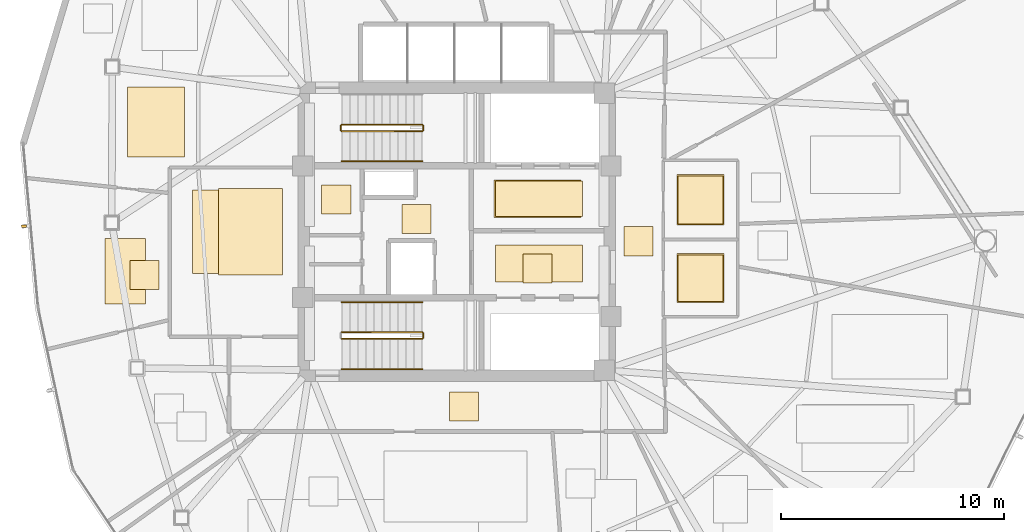
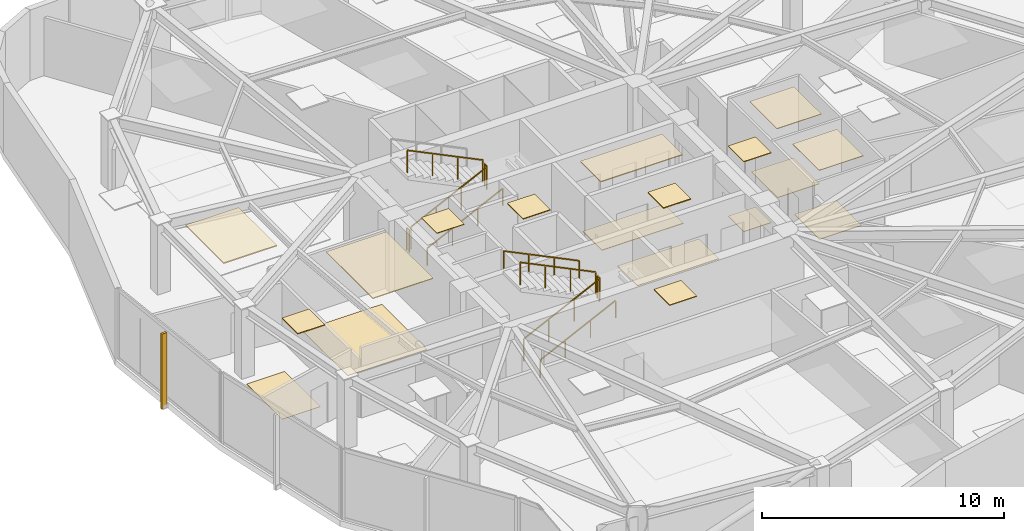
# One storey, part 15 of 17: 18 coverings, 10 railings, 1 shading device.
"""IFC4 building model written with IfcOpenShell, lengths in metres."""

from ifc_helpers import new_model, si_unit, direction, frame, origin, origin_2d, place, context, subcontext, project, spatial, polyline, rectangle, outline, extrude, source, transform, mapped, material, layer, layer_set, type_object, type_shapes, element, save


model = new_model("IFC4")

# Units and contexts
model_context = context("Model", 3, precision=1e-05, world=origin(), true_north=direction((0.0, 1.0)))
body_context = subcontext(model_context, "Body", "Model", "MODEL_VIEW")
ifc_project = project(units=[si_unit("LENGTHUNIT", "METRE"), si_unit("AREAUNIT", "SQUARE_METRE"), si_unit("VOLUMEUNIT", "CUBIC_METRE"), si_unit("PLANEANGLEUNIT", "RADIAN"), si_unit("MASSUNIT", "GRAM", prefix="KILO")], contexts=[model_context])

# Site, building, storey
site_placement = place(None, origin())
site = spatial("IfcSite", under=ifc_project, at=site_placement, CompositionType="ELEMENT")
building_placement = place(site_placement, origin())
building = spatial("IfcBuilding", under=site, at=building_placement, Name="Tavelor Broadcast Tower", CompositionType="ELEMENT")
storey_placement = place(building_placement, frame((0.0, 0.0, 196.449951171875)))
storey = spatial("IfcBuildingStorey", under=building, at=storey_placement, Name="L47", CompositionType="ELEMENT", Elevation=196.449951171875)

# Coverings
ifc_material_1 = material(Name="Copper-Bronze Anodized Aluminium", Category="aluminium")
ifc_layer_1 = layer(ifc_material_1, 0.044921875)
ifc_layer_set_1 = layer_set([ifc_layer_1], Name="Copper-Bronze Anodized Aluminium")
covering_type_1 = type_object("IfcCoveringType", Name="Anodised Bronze Linear Slatted Concourse Ceiling 45 mm", PredefinedType="CEILING", material=ifc_layer_set_1)
covering_1_placement = place(storey_placement, frame((0.0, 0.0, 3.505126953125)))
element("IfcCovering", 1, at=covering_1_placement, inside=storey, type_object=covering_type_1, Name="L47 Suspended Acoustic Ceiling 1954", PredefinedType="CEILING", context=body_context, shape_type="SweptSolid", body=[
    extrude(outline(polyline([(51.659912109375, 45.6318359375), (55.55712890625, 45.6318359375), (55.55712890625, 47.328125), (51.659912109375, 47.328125), (51.659912109375, 45.6318359375)])), origin(), (0.0, 0.0, 1.0), 0.044921875),
])
covering_2_placement = place(storey_placement, frame((0.0, 0.0, 3.505126953125)))
element("IfcCovering", 2, at=covering_2_placement, inside=storey, type_object=covering_type_1, Name="L47 Suspended Acoustic Ceiling 1955", PredefinedType="CEILING", context=body_context, shape_type="SweptSolid", body=[
    extrude(outline(polyline([(52.95361328125, 42.705078125), (54.25341796875, 42.705078125), (54.25341796875, 44.0048828125), (52.95361328125, 44.0048828125), (52.95361328125, 42.705078125)])), origin(), (0.0, 0.0, 1.0), 0.044921875),
])
covering_3_placement = place(storey_placement, frame((0.0, 0.0, 3.505126953125)))
element("IfcCovering", 3, at=covering_3_placement, inside=storey, type_object=covering_type_1, Name="L47 Suspended Acoustic Ceiling 1956", PredefinedType="CEILING", context=body_context, shape_type="SweptSolid", body=[
    extrude(outline(polyline([(47.544921875, 44.919921875), (48.844970703125, 44.919921875), (48.844970703125, 46.219970703125), (47.544921875, 46.219970703125), (47.544921875, 44.919921875)])), origin(), (0.0, 0.0, 1.0), 0.044921875),
])

# Railings
ifc_material_2 = material(Name="Steel S355", Category="steel")
railing_type_1 = type_object("IfcRailingType", Name="Continuous Brushed Stainless Handrail 900 mm", PredefinedType="HANDRAIL", material=ifc_material_2)
for number, where, name in (
    (4, (44.85009765625, 48.14990234375, 0.175048828125), "L47 ST1 stair handrail 1"),
    (5, (44.85009765625, 38.85009765625, 0.175048828125), "L47 ST2 stair handrail 1"),
):
    element("IfcRailing", number, at=place(storey_placement, frame(where)), inside=storey, type_object=railing_type_1, Name=name, PredefinedType="HANDRAIL", context=body_context, shape_type="SweptSolid", body=[
        extrude(rectangle(XDim=0.048095703125, YDim=0.048095703125, at=origin_2d()), frame((0.0, 0.0, 0.8759765625), z_axis=(0.899360859046, 0.0, 0.437207096483), x_axis=(0.0, 1.0, 0.0)), (0.0, 0.0, 1.0), 4.002685546875),
        extrude(rectangle(XDim=0.0419921875, YDim=0.0419921875, at=origin_2d()), origin(), (0.0, 0.0, 1.0), 0.851806640625),
        extrude(rectangle(XDim=0.0419921875, YDim=0.0419921875, at=origin_2d()), frame((1.199951171875, 0.0, 0.583251953125)), (0.0, 0.0, 1.0), 0.851806640625),
        extrude(rectangle(XDim=0.0419921875, YDim=0.0419921875, at=origin_2d()), frame((2.39990234375, 0.0, 1.166748046875)), (0.0, 0.0, 1.0), 0.851806640625),
        extrude(rectangle(XDim=0.0419921875, YDim=0.0419921875, at=origin_2d()), frame((3.599853515625, 0.0, 1.75)), (0.0, 0.0, 1.0), 0.851806640625),
    ])
railing_1_placement = place(storey_placement, frame((48.449951171875, 41.85009765625, 2.10009765625)))
element("IfcRailing", 6, at=railing_1_placement, inside=storey, type_object=railing_type_1, Name="L47 ST2 stair handrail 2", PredefinedType="HANDRAIL", context=body_context, shape_type="SweptSolid", body=[
    extrude(rectangle(XDim=0.048095703125, YDim=0.048095703125, at=origin_2d()), frame((0.0, 0.0, 0.8759765625), z_axis=(-0.899360859046, 0.0, 0.437207096483), x_axis=(0.0, -1.0, 0.0)), (0.0, 0.0, 1.0), 4.002685546875),
    extrude(rectangle(XDim=0.0419921875, YDim=0.0419921875, at=origin_2d()), origin(), (0.0, 0.0, 1.0), 0.851806640625),
    extrude(rectangle(XDim=0.0419921875, YDim=0.0419921875, at=origin_2d()), frame((-1.199951171875, 0.0, 0.583251953125)), (0.0, 0.0, 1.0), 0.851806640625),
    extrude(rectangle(XDim=0.0419921875, YDim=0.0419921875, at=origin_2d()), frame((-2.39990234375, 0.0, 1.166748046875)), (0.0, 0.0, 1.0), 0.851806640625),
    extrude(rectangle(XDim=0.0419921875, YDim=0.0419921875, at=origin_2d()), frame((-3.599853515625, 0.0, 1.75)), (0.0, 0.0, 1.0), 0.851806640625),
])

# Coverings
ifc_material_3 = material(Name="Architectural Anodized Aluminium", Category="aluminium")
ifc_layer_2 = layer(ifc_material_3, 0.034912109375)
ifc_layer_set_2 = layer_set([ifc_layer_2], Name="Architectural Anodized Aluminium")
covering_type_2 = type_object("IfcCoveringType", Name="Demountable Metal Tile Corridor Ceiling 35 mm", PredefinedType="CEILING", material=ifc_layer_set_2)
covering_4_placement = place(storey_placement, frame((0.0, 0.0, 3.51513671875)))
element("IfcCovering", 7, at=covering_4_placement, inside=storey, type_object=covering_type_2, Name="L47 Suspended Acoustic Ceiling 1958", PredefinedType="CEILING", context=body_context, shape_type="SweptSolid", body=[
    extrude(outline(polyline([(57.489990234375, 43.925048828125), (58.7900390625, 43.925048828125), (58.7900390625, 45.22509765625), (57.489990234375, 45.22509765625), (57.489990234375, 43.925048828125)])), origin(), (0.0, 0.0, 1.0), 0.034912109375),
])
covering_5_placement = place(storey_placement, frame((0.0, 0.0, 3.51513671875)))
element("IfcCovering", 8, at=covering_5_placement, inside=storey, type_object=covering_type_2, Name="L47 Suspended Acoustic Ceiling 1959", PredefinedType="CEILING", context=body_context, shape_type="SweptSolid", body=[
    extrude(outline(polyline([(49.6748046875, 36.52490234375), (50.974609375, 36.52490234375), (50.974609375, 37.824951171875), (49.6748046875, 37.824951171875), (49.6748046875, 36.52490234375)])), origin(), (0.0, 0.0, 1.0), 0.034912109375),
])
ifc_material_4 = material(Name="Acoustic Nylon Carpet Tile")
ifc_layer_3 = layer(ifc_material_4, 0.02001953125)
ifc_layer_set_3 = layer_set([ifc_layer_3], Name="Acoustic Nylon Carpet Tile")
covering_type_3 = type_object("IfcCoveringType", Name="Heavy-Duty Acoustic Broadcast Carpet Tile 20 mm", PredefinedType="FLOORING", material=ifc_layer_set_3)
covering_6_placement = place(storey_placement, origin())
element("IfcCovering", 9, at=covering_6_placement, inside=storey, type_object=covering_type_3, Name="L47 Broadcast Floor Finish 0710", PredefinedType="FLOORING", context=body_context, shape_type="SweptSolid", body=[
    extrude(outline(polyline([(57.489990234375, 43.925048828125), (58.7900390625, 43.925048828125), (58.7900390625, 45.22509765625), (57.489990234375, 45.22509765625), (57.489990234375, 43.925048828125)])), origin(), (0.0, 0.0, 1.0), 0.02001953125),
])
covering_7_placement = place(storey_placement, origin())
element("IfcCovering", 10, at=covering_7_placement, inside=storey, type_object=covering_type_3, Name="L47 Broadcast Floor Finish 0711", PredefinedType="FLOORING", context=body_context, shape_type="SweptSolid", body=[
    extrude(outline(polyline([(38.15771484375, 43.12890625), (41.942138671875, 43.12890625), (41.942138671875, 46.87060546875), (38.15771484375, 46.87060546875), (38.15771484375, 43.12890625)])), origin(), (0.0, 0.0, 1.0), 0.02001953125),
])
covering_8_placement = place(storey_placement, origin())
element("IfcCovering", 11, at=covering_8_placement, inside=storey, type_object=covering_type_3, Name="L47 Broadcast Floor Finish 0719", PredefinedType="FLOORING", context=body_context, shape_type="SweptSolid", body=[
    extrude(outline(polyline([(34.250732421875, 41.762451171875), (36.065185546875, 41.762451171875), (36.065185546875, 44.690185546875), (34.250732421875, 44.690185546875), (34.250732421875, 41.762451171875)])), origin(), (0.0, 0.0, 1.0), 0.02001953125),
])
ifc_material_5 = material(Name="Honed Natural Limestone Tile", Category="masonry")
ifc_layer_4 = layer(ifc_material_5, 0.030029296875)
ifc_layer_set_4 = layer_set([ifc_layer_4], Name="Honed Natural Limestone Tile")
covering_type_4 = type_object("IfcCoveringType", Name="Honed Jerusalem Limestone Concourse Flooring 30 mm", PredefinedType="FLOORING", material=ifc_layer_set_4)
covering_9_placement = place(storey_placement, origin())
element("IfcCovering", 12, at=covering_9_placement, inside=storey, type_object=covering_type_4, Name="L47 Broadcast Floor Finish 0708", PredefinedType="FLOORING", context=body_context, shape_type="SweptSolid", body=[
    extrude(outline(polyline([(51.7373046875, 45.689453125), (55.62255859375, 45.689453125), (55.62255859375, 47.2705078125), (51.7373046875, 47.2705078125), (51.7373046875, 45.689453125)])), origin(), (0.0, 0.0, 1.0), 0.030029296875),
])
covering_10_placement = place(storey_placement, origin())
element("IfcCovering", 13, at=covering_10_placement, inside=storey, type_object=covering_type_4, Name="L47 Broadcast Floor Finish 0709", PredefinedType="FLOORING", context=body_context, shape_type="SweptSolid", body=[
    extrude(outline(polyline([(51.728759765625, 42.743408203125), (55.62109375, 42.743408203125), (55.62109375, 44.396484375), (51.728759765625, 44.396484375), (51.728759765625, 42.743408203125)])), origin(), (0.0, 0.0, 1.0), 0.030029296875),
])
ifc_material_6 = material(Name="Acoustic Perforated Timber Baffle", Category="wood")
ifc_layer_5 = layer(ifc_material_6, 0.054931640625)
ifc_layer_set_5 = layer_set([ifc_layer_5], Name="Acoustic Perforated Timber Baffle")
covering_type_5 = type_object("IfcCoveringType", Name="Micro-Perforated Acoustic Baffle Studio Ceiling 55 mm", PredefinedType="CEILING", material=ifc_layer_set_5)
covering_11_placement = place(storey_placement, frame((0.0, 0.0, 3.4951171875)))
element("IfcCovering", 14, at=covering_11_placement, inside=storey, type_object=covering_type_5, Name="L47 Suspended Acoustic Ceiling 1978", PredefinedType="CEILING", context=body_context, shape_type="SweptSolid", body=[
    extrude(outline(polyline([(35.262451171875, 48.34326171875), (37.79638671875, 48.34326171875), (37.79638671875, 51.48876953125), (35.262451171875, 51.48876953125), (35.262451171875, 48.34326171875)])), origin(), (0.0, 0.0, 1.0), 0.054931640625),
])
ifc_layer_6 = layer(ifc_material_3, 0.030029296875)
ifc_layer_set_6 = layer_set([ifc_layer_6], Name="Architectural Anodized Aluminium")
covering_type_6 = type_object("IfcCoveringType", Name="Moisture-Resistant Washroom Ceiling 30 mm", PredefinedType="CEILING", material=ifc_layer_set_6)
covering_12_placement = place(storey_placement, frame((0.0, 0.0, 3.52001953125)))
element("IfcCovering", 15, at=covering_12_placement, inside=storey, type_object=covering_type_6, Name="L47 Suspended Acoustic Ceiling 1957", PredefinedType="CEILING", context=body_context, shape_type="SweptSolid", body=[
    extrude(outline(polyline([(43.951416015625, 45.794921875), (45.25146484375, 45.794921875), (45.25146484375, 47.094970703125), (43.951416015625, 47.094970703125), (43.951416015625, 45.794921875)])), origin(), (0.0, 0.0, 1.0), 0.030029296875),
])
covering_13_placement = place(storey_placement, frame((0.0, 0.0, 3.52001953125)))
element("IfcCovering", 16, at=covering_13_placement, inside=storey, type_object=covering_type_6, Name="L47 Suspended Acoustic Ceiling 1961", PredefinedType="CEILING", context=body_context, shape_type="SweptSolid", body=[
    extrude(outline(polyline([(59.85302734375, 41.828369140625), (61.967041015625, 41.828369140625), (61.967041015625, 44.021484375), (59.85302734375, 44.021484375), (59.85302734375, 41.828369140625)])), origin(), (0.0, 0.0, 1.0), 0.030029296875),
])
covering_14_placement = place(storey_placement, frame((0.0, 0.0, 3.52001953125)))
element("IfcCovering", 17, at=covering_14_placement, inside=storey, type_object=covering_type_6, Name="L47 Suspended Acoustic Ceiling 1962", PredefinedType="CEILING", context=body_context, shape_type="SweptSolid", body=[
    extrude(outline(polyline([(59.85302734375, 45.29248046875), (61.967041015625, 45.29248046875), (61.967041015625, 47.5576171875), (59.85302734375, 47.5576171875), (59.85302734375, 45.29248046875)])), origin(), (0.0, 0.0, 1.0), 0.030029296875),
])
ifc_material_7 = material(Name="Slip-Resistant Porcelain Tile")
ifc_layer_7 = layer(ifc_material_7, 0.02490234375)
ifc_layer_set_7 = layer_set([ifc_layer_7], Name="Slip-Resistant Porcelain Tile")
covering_type_7 = type_object("IfcCoveringType", Name="Slip-Resistant Porcelain Wet-Area Floor Tile 25 mm", PredefinedType="FLOORING", material=ifc_layer_set_7)
covering_15_placement = place(storey_placement, origin())
element("IfcCovering", 18, at=covering_15_placement, inside=storey, type_object=covering_type_7, Name="L47 Broadcast Floor Finish 0712", PredefinedType="FLOORING", context=body_context, shape_type="SweptSolid", body=[
    extrude(outline(polyline([(59.91064453125, 41.885986328125), (61.909423828125, 41.885986328125), (61.909423828125, 43.964111328125), (59.91064453125, 43.964111328125), (59.91064453125, 41.885986328125)])), origin(), (0.0, 0.0, 1.0), 0.025146484375),
])
covering_16_placement = place(storey_placement, origin())
element("IfcCovering", 19, at=covering_16_placement, inside=storey, type_object=covering_type_7, Name="L47 Broadcast Floor Finish 0713", PredefinedType="FLOORING", context=body_context, shape_type="SweptSolid", body=[
    extrude(outline(polyline([(59.91064453125, 45.35009765625), (61.909423828125, 45.35009765625), (61.909423828125, 47.5), (59.91064453125, 47.5), (59.91064453125, 45.35009765625)])), origin(), (0.0, 0.0, 1.0), 0.025146484375),
])

# Railings
railing_type_2 = type_object("IfcRailingType", Name="Stairwell Steel Safety Guardrail 1150 mm", PredefinedType="GUARDRAIL", material=ifc_material_2)
railing_2_placement = place(storey_placement, frame((44.85009765625, 49.5, 0.175048828125)))
element("IfcRailing", 20, at=railing_2_placement, inside=storey, type_object=railing_type_2, Name="L47 ST1 stair guard 1", PredefinedType="GUARDRAIL", context=body_context, shape_type="SweptSolid", body=[
    extrude(rectangle(XDim=0.048095703125, YDim=0.048095703125, at=origin_2d()), frame((0.0, 0.0, 1.1259765625), z_axis=(0.899360859046, 0.0, 0.437207096483), x_axis=(0.0, 1.0, 0.0)), (0.0, 0.0, 1.0), 4.002685546875),
    extrude(rectangle(XDim=0.0419921875, YDim=0.0419921875, at=origin_2d()), origin(), (0.0, 0.0, 1.0), 1.101806640625),
    extrude(rectangle(XDim=0.0419921875, YDim=0.0419921875, at=origin_2d()), frame((1.199951171875, 0.0, 0.583251953125)), (0.0, 0.0, 1.0), 1.101806640625),
    extrude(rectangle(XDim=0.0419921875, YDim=0.0419921875, at=origin_2d()), frame((2.39990234375, 0.0, 1.166748046875)), (0.0, 0.0, 1.0), 1.101806640625),
    extrude(rectangle(XDim=0.0419921875, YDim=0.0419921875, at=origin_2d()), frame((3.599853515625, 0.0, 1.75)), (0.0, 0.0, 1.0), 1.101806640625),
])
railing_3_placement = place(storey_placement, frame((48.5, 49.550048828125, 1.925048828125)))
element("IfcRailing", 21, at=railing_3_placement, inside=storey, type_object=railing_type_2, Name="L47 ST1 stair guard 2", PredefinedType="GUARDRAIL", context=body_context, shape_type="SweptSolid", body=[
    extrude(rectangle(XDim=0.048095703125, YDim=0.048095703125, at=origin_2d()), frame((0.0, 0.0, 1.1259765625), z_axis=(0.0, 1.0, 0.0), x_axis=(-1.0, 0.0, 0.0)), (0.0, 0.0, 1.0), 0.199951171875),
    extrude(rectangle(XDim=0.0419921875, YDim=0.0419921875, at=origin_2d()), origin(), (0.0, 0.0, 1.0), 1.101806640625),
    extrude(rectangle(XDim=0.0419921875, YDim=0.0419921875, at=origin_2d()), frame((0.0, 0.199951171875, 0.0)), (0.0, 0.0, 1.0), 1.101806640625),
])
railing_4_placement = place(storey_placement, frame((48.449951171875, 49.800048828125, 2.10009765625)))
element("IfcRailing", 22, at=railing_4_placement, inside=storey, type_object=railing_type_2, Name="L47 ST1 stair guard 3", PredefinedType="GUARDRAIL", context=body_context, shape_type="SweptSolid", body=[
    extrude(rectangle(XDim=0.048095703125, YDim=0.048095703125, at=origin_2d()), frame((0.0, 0.0, 1.1259765625), z_axis=(-0.899360859046, 0.0, 0.437207096483), x_axis=(0.0, -1.0, 0.0)), (0.0, 0.0, 1.0), 4.002685546875),
    extrude(rectangle(XDim=0.0419921875, YDim=0.0419921875, at=origin_2d()), origin(), (0.0, 0.0, 1.0), 1.101806640625),
    extrude(rectangle(XDim=0.0419921875, YDim=0.0419921875, at=origin_2d()), frame((-1.199951171875, 0.0, 0.583251953125)), (0.0, 0.0, 1.0), 1.101806640625),
    extrude(rectangle(XDim=0.0419921875, YDim=0.0419921875, at=origin_2d()), frame((-2.39990234375, 0.0, 1.166748046875)), (0.0, 0.0, 1.0), 1.101806640625),
    extrude(rectangle(XDim=0.0419921875, YDim=0.0419921875, at=origin_2d()), frame((-3.599853515625, 0.0, 1.75)), (0.0, 0.0, 1.0), 1.101806640625),
])
railing_5_placement = place(storey_placement, frame((44.800048828125, 49.550048828125, 0.0)))
element("IfcRailing", 23, at=railing_5_placement, inside=storey, type_object=railing_type_2, Name="L47 ST1 stair guard 4", PredefinedType="GUARDRAIL", context=body_context, shape_type="SweptSolid", body=[
    extrude(rectangle(XDim=0.048095703125, YDim=0.048095703125, at=origin_2d()), frame((0.0, 0.0, 1.1259765625), z_axis=(0.0, 1.0, 0.0), x_axis=(-1.0, 0.0, 0.0)), (0.0, 0.0, 1.0), 0.199951171875),
    extrude(rectangle(XDim=0.0419921875, YDim=0.0419921875, at=origin_2d()), origin(), (0.0, 0.0, 1.0), 1.101806640625),
    extrude(rectangle(XDim=0.0419921875, YDim=0.0419921875, at=origin_2d()), frame((0.0, 0.199951171875, 0.0)), (0.0, 0.0, 1.0), 1.101806640625),
])
railing_6_placement = place(storey_placement, frame((44.85009765625, 40.199951171875, 0.175048828125)))
element("IfcRailing", 24, at=railing_6_placement, inside=storey, type_object=railing_type_2, Name="L47 ST2 stair guard 1", PredefinedType="GUARDRAIL", context=body_context, shape_type="SweptSolid", body=[
    extrude(rectangle(XDim=0.048095703125, YDim=0.048095703125, at=origin_2d()), frame((0.0, 0.0, 1.1259765625), z_axis=(0.899360859046, 0.0, 0.437207096483), x_axis=(0.0, 1.0, 0.0)), (0.0, 0.0, 1.0), 4.002685546875),
    extrude(rectangle(XDim=0.0419921875, YDim=0.0419921875, at=origin_2d()), origin(), (0.0, 0.0, 1.0), 1.101806640625),
    extrude(rectangle(XDim=0.0419921875, YDim=0.0419921875, at=origin_2d()), frame((1.199951171875, 0.0, 0.583251953125)), (0.0, 0.0, 1.0), 1.101806640625),
    extrude(rectangle(XDim=0.0419921875, YDim=0.0419921875, at=origin_2d()), frame((2.39990234375, 0.0, 1.166748046875)), (0.0, 0.0, 1.0), 1.101806640625),
    extrude(rectangle(XDim=0.0419921875, YDim=0.0419921875, at=origin_2d()), frame((3.599853515625, 0.0, 1.75)), (0.0, 0.0, 1.0), 1.101806640625),
])
railing_7_placement = place(storey_placement, frame((48.5, 40.25, 1.925048828125)))
element("IfcRailing", 25, at=railing_7_placement, inside=storey, type_object=railing_type_2, Name="L47 ST2 stair guard 2", PredefinedType="GUARDRAIL", context=body_context, shape_type="SweptSolid", body=[
    extrude(rectangle(XDim=0.048095703125, YDim=0.048095703125, at=origin_2d()), frame((0.0, 0.0, 1.1259765625), z_axis=(0.0, 1.0, 0.0), x_axis=(-1.0, 0.0, 0.0)), (0.0, 0.0, 1.0), 0.199951171875),
    extrude(rectangle(XDim=0.0419921875, YDim=0.0419921875, at=origin_2d()), origin(), (0.0, 0.0, 1.0), 1.101806640625),
    extrude(rectangle(XDim=0.0419921875, YDim=0.0419921875, at=origin_2d()), frame((0.0, 0.199951171875, 0.0)), (0.0, 0.0, 1.0), 1.101806640625),
])
railing_8_placement = place(storey_placement, frame((48.449951171875, 40.5, 2.10009765625)))
element("IfcRailing", 26, at=railing_8_placement, inside=storey, type_object=railing_type_2, Name="L47 ST2 stair guard 3", PredefinedType="GUARDRAIL", context=body_context, shape_type="SweptSolid", body=[
    extrude(rectangle(XDim=0.048095703125, YDim=0.048095703125, at=origin_2d()), frame((0.0, 0.0, 1.1259765625), z_axis=(-0.899360859046, 0.0, 0.437207096483), x_axis=(0.0, -1.0, 0.0)), (0.0, 0.0, 1.0), 4.002685546875),
    extrude(rectangle(XDim=0.0419921875, YDim=0.0419921875, at=origin_2d()), origin(), (0.0, 0.0, 1.0), 1.101806640625),
    extrude(rectangle(XDim=0.0419921875, YDim=0.0419921875, at=origin_2d()), frame((-1.199951171875, 0.0, 0.583251953125)), (0.0, 0.0, 1.0), 1.101806640625),
    extrude(rectangle(XDim=0.0419921875, YDim=0.0419921875, at=origin_2d()), frame((-2.39990234375, 0.0, 1.166748046875)), (0.0, 0.0, 1.0), 1.101806640625),
    extrude(rectangle(XDim=0.0419921875, YDim=0.0419921875, at=origin_2d()), frame((-3.599853515625, 0.0, 1.75)), (0.0, 0.0, 1.0), 1.101806640625),
])

# Coverings
ifc_material_8 = material(Name="Acoustic Mineral Fibre Tile")
ifc_layer_8 = layer(ifc_material_8, 0.0400390625)
ifc_layer_set_8 = layer_set([ifc_layer_8], Name="Acoustic Mineral Fibre Tile")
covering_type_8 = type_object("IfcCoveringType", Name="Suspended Acoustic Mineral-Fibre Office Ceiling 40 mm", PredefinedType="CEILING", material=ifc_layer_set_8)
covering_17_placement = place(storey_placement, frame((0.0, 0.0, 3.510009765625)))
element("IfcCovering", 27, at=covering_17_placement, inside=storey, type_object=covering_type_8, Name="L47 Suspended Acoustic Ceiling 1960", PredefinedType="CEILING", context=body_context, shape_type="SweptSolid", body=[
    extrude(outline(polyline([(39.321533203125, 43.0712890625), (42.198486328125, 43.0712890625), (42.198486328125, 46.927978515625), (39.321533203125, 46.927978515625), (39.321533203125, 43.0712890625)])), origin(), (0.0, 0.0, 1.0), 0.0400390625),
])
covering_18_placement = place(storey_placement, frame((0.0, 0.0, 3.510009765625)))
element("IfcCovering", 28, at=covering_18_placement, inside=storey, type_object=covering_type_8, Name="L47 Suspended Acoustic Ceiling 1973", PredefinedType="CEILING", context=body_context, shape_type="SweptSolid", body=[
    extrude(outline(polyline([(35.36279296875, 42.41259765625), (36.66259765625, 42.41259765625), (36.66259765625, 43.712646484375), (35.36279296875, 43.712646484375), (35.36279296875, 42.41259765625)])), origin(), (0.0, 0.0, 1.0), 0.0400390625),
])

# Shading device
ifc_material_9 = material(Name="Kiln-Fired Glazed Terracotta", Category="masonry")
shading_device_type = type_object("IfcShadingDeviceType", Name="Extruded Terracotta Baguette Sun-Screen 110x240", PredefinedType="JALOUSIE", material=ifc_material_9)
shared_shape = source(origin(), body_context, "Body", "SweptSolid", [
    extrude(rectangle(XDim=0.110107421875, YDim=0.239990234375, at=origin_2d()), origin(), (0.0, 0.0, 1.0), 3.7900390625),
])
type_shapes(shading_device_type, [shared_shape])
shading_device_placement = place(storey_placement, frame((30.6201171875, 45.248046875, -0.260009765625), z_axis=(0.0, 0.0, 1.0), x_axis=(0.090980203904, -0.995852701205, 0.0)))
element("IfcShadingDevice", 29, at=shading_device_placement, inside=storey, type_object=shading_device_type, Name="L47 Terracotta Baguette Fin 493", PredefinedType="JALOUSIE", context=body_context, shape_type="MappedRepresentation", body=[
    mapped(shared_shape, transform((0.0, 0.0, 0.0), scale=1.0)),
])

save(model, "model.ifc")
